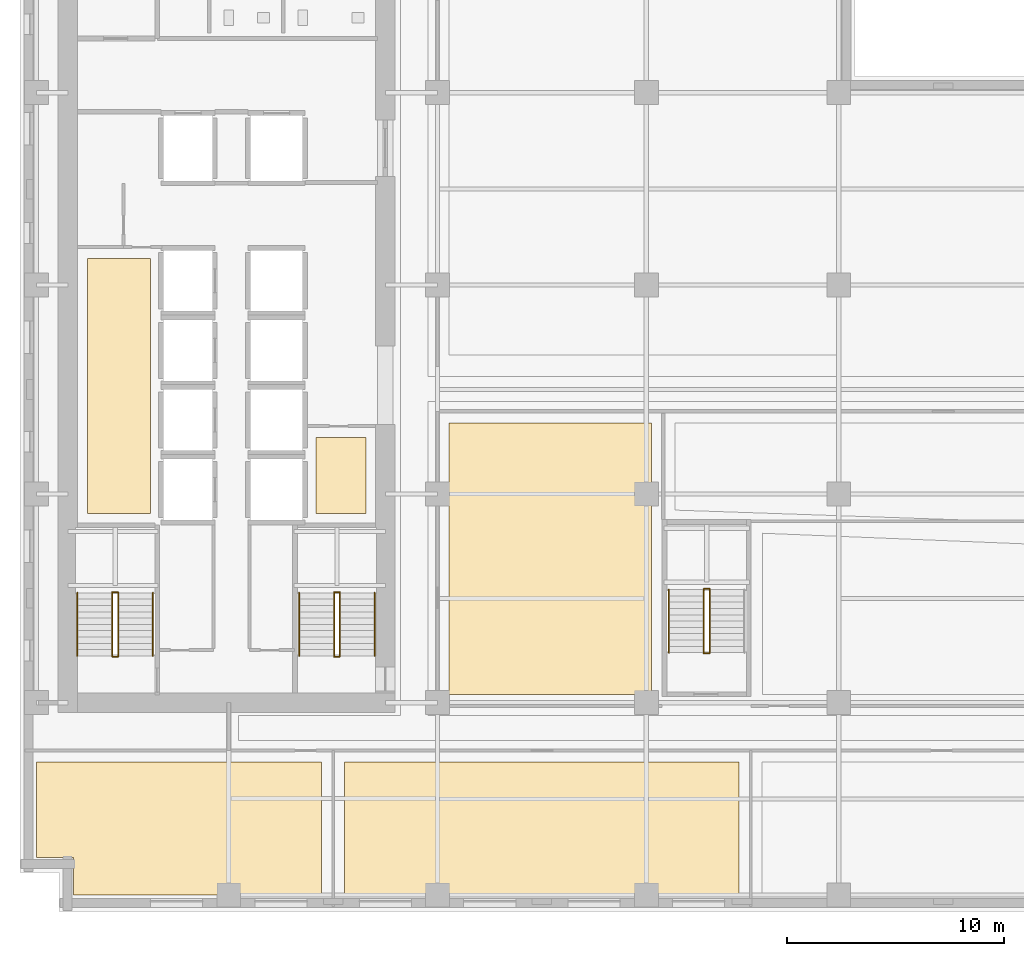
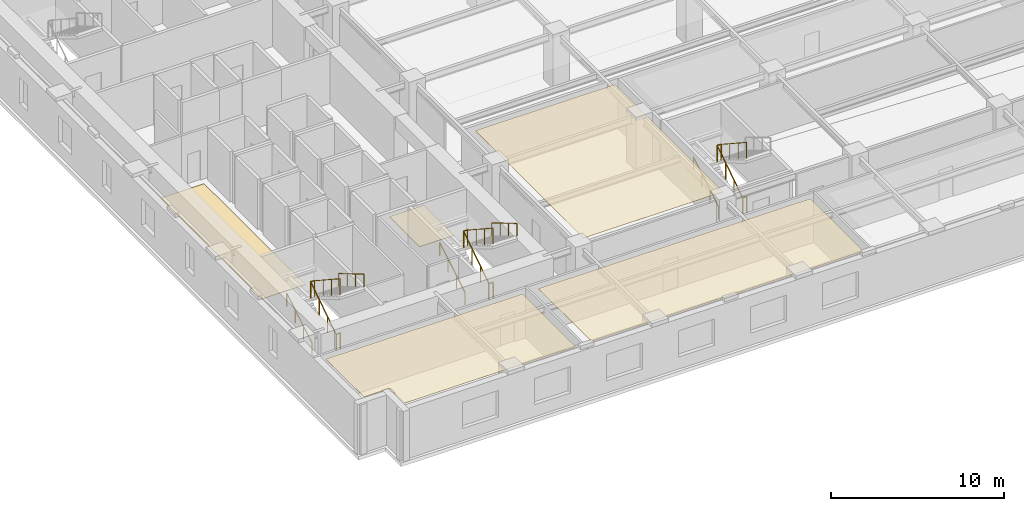
# One storey, part 9 of 13: 17 railings, 5 coverings.
"""IFC4 building model written with IfcOpenShell, lengths in metres."""

import ifcopenshell
import ifcopenshell.guid

model = None  # the IFC model being written
_history = None  # IfcOwnerHistory: only IFC2X3 demands one
_inside = {}  # id of a spatial element -> (the spatial element, [elements in it])
_under = {}  # id of a project, library or spatial element -> (it, [spatial elements below it])
_declared = {}  # id of a project -> (the project, [libraries it declares])
_typed = {}  # id of a type object -> (the type object, [elements of that type])
_made_of = {}  # id of a material, layer set ... -> (it, [elements and type objects made of it])


def new_model(schema):
    """Start an empty IFC model of exactly this schema.

    Asked for "IFC4X3", IfcOpenShell would pick the latest addendum, in which some entities
    have other attributes; the version numbers below select the first issue.
    IFC2X3 requires an IfcOwnerHistory on every rooted entity: one is made here for all.
    """
    global model, _history
    if schema == "IFC4X3":
        model = ifcopenshell.file(schema_version=(4, 3, 0, 0))
    else:
        model = ifcopenshell.file(schema=schema)
    _inside.clear()
    _under.clear()
    _declared.clear()
    _typed.clear()
    _made_of.clear()
    _history = None
    if model.schema == "IFC2X3":
        org = make("IfcOrganization", Name="unknown")
        user = make(
            "IfcPersonAndOrganization",
            ThePerson=make("IfcPerson", FamilyName="unknown"),
            TheOrganization=org,
        )
        app = make(
            "IfcApplication",
            ApplicationDeveloper=org,
            Version="unknown",
            ApplicationFullName="unknown",
            ApplicationIdentifier="unknown",
        )
        _history = make(
            "IfcOwnerHistory",
            OwningUser=user,
            OwningApplication=app,
            ChangeAction="ADDED",
            CreationDate=0,
        )
    return model


def make(cls, **values):
    """One entity of the class cls with the attributes given. An attribute that is None is left unset."""
    return model.create_entity(
        cls, **{name: value for name, value in values.items() if value is not None}
    )


def rooted(cls, **values):
    """An entity with a GlobalId (a new one), such as an element, a storey or a relation."""
    return make(cls, GlobalId=ifcopenshell.guid.new(), OwnerHistory=_history, **values)


def si_unit(unit_type, name, prefix=None):
    """IfcSIUnit, for example si_unit("LENGTHUNIT", "METRE", prefix="MILLI")."""
    return make("IfcSIUnit", UnitType=unit_type, Prefix=prefix, Name=name)


def assignment(units):
    """IfcUnitAssignment: the units of a project."""
    return None if units is None else make("IfcUnitAssignment", Units=units)


def point(xyz):
    """IfcCartesianPoint."""
    return None if xyz is None else make("IfcCartesianPoint", Coordinates=xyz)


def direction(xyz):
    """IfcDirection."""
    return None if xyz is None else make("IfcDirection", DirectionRatios=xyz)


def frame(location, z_axis=None, x_axis=None):
    """IfcAxis2Placement3D, a coordinate frame: its origin and axes. An axis left out is left unset."""
    return make(
        "IfcAxis2Placement3D",
        Location=point(location),
        Axis=direction(z_axis),
        RefDirection=direction(x_axis),
    )


def frame_2d(location, x_axis=None):
    """IfcAxis2Placement2D, a coordinate frame in the plane: its origin and x axis."""
    return make(
        "IfcAxis2Placement2D", Location=point(location), RefDirection=direction(x_axis)
    )


def origin():
    """The frame at (0, 0, 0) with its axes left unset."""
    return frame((0.0, 0.0, 0.0))


def origin_2d():
    """The frame at (0, 0) in the plane with its x axis left unset."""
    return frame_2d((0.0, 0.0))


def place(relative_to, where):
    """IfcLocalPlacement: puts the frame where relative to a parent placement (None: the world)."""
    return make(
        "IfcLocalPlacement", PlacementRelTo=relative_to, RelativePlacement=where
    )


def context(
    kind, dimensions, precision=None, world=None, true_north=None, identifier=None
):
    """IfcGeometricRepresentationContext, for example the 3D "Model" context."""
    return make(
        "IfcGeometricRepresentationContext",
        ContextIdentifier=identifier,
        ContextType=kind,
        CoordinateSpaceDimension=dimensions,
        Precision=precision,
        WorldCoordinateSystem=world,
        TrueNorth=true_north,
    )


def subcontext(parent, identifier, kind, view, scale=None):
    """IfcGeometricRepresentationSubContext, for example "Body" below "Model"."""
    return make(
        "IfcGeometricRepresentationSubContext",
        ContextIdentifier=identifier,
        ContextType=kind,
        ParentContext=parent,
        TargetScale=scale,
        TargetView=view,
    )


def project(units=None, contexts=None):
    """IfcProject with its units and contexts."""
    return rooted(
        "IfcProject",
        Name="project",
        RepresentationContexts=contexts,
        UnitsInContext=assignment(units),
    )


def spatial(cls, under=None, at=None, **own):
    """A site, building, storey or space (cls), placed at a placement, below another one or the project."""
    s = rooted(cls, ObjectPlacement=at, **own)
    if under is not None:
        _under.setdefault(under.id(), (under, []))[1].append(s)
    return s


def polyline(points):
    """IfcPolyline through the points."""
    return make("IfcPolyline", Points=[point(p) for p in points])


def profile(cls, at=None, kind="AREA", **sizes):
    """A parametric profile (cls). Its sizes go by their IFC names, for example OverallWidth=200.0."""
    return make(cls, ProfileType=kind, Position=at, **sizes)


def circle(**sizes):
    """IfcCircleProfileDef."""
    return profile("IfcCircleProfileDef", **sizes)


def outline(outer, holes=None, kind="AREA"):
    """IfcArbitraryClosedProfileDef: a profile drawn as a closed curve; with holes, ...WithVoids."""
    if holes is None:
        return make("IfcArbitraryClosedProfileDef", ProfileType=kind, OuterCurve=outer)
    return make(
        "IfcArbitraryProfileDefWithVoids",
        ProfileType=kind,
        OuterCurve=outer,
        InnerCurves=holes,
    )


def extrude(swept, where, along, depth):
    """IfcExtrudedAreaSolid: the profile swept, set in the frame where, extruded along a direction by depth."""
    return make(
        "IfcExtrudedAreaSolid",
        SweptArea=swept,
        Position=where,
        ExtrudedDirection=direction(along),
        Depth=depth,
    )


def shape(context_of_items, identifier, shape_type, items):
    """IfcShapeRepresentation: the items that make up one representation, for example the "Body"."""
    return make(
        "IfcShapeRepresentation",
        ContextOfItems=context_of_items,
        RepresentationIdentifier=identifier,
        RepresentationType=shape_type,
        Items=items,
    )


def material(Name=None, Category=None):
    """IfcMaterial."""
    return make("IfcMaterial", Name=Name, Category=Category)


def layer(
    of_material, thickness, ventilated=None, Name=None, Category=None, Priority=None
):
    """IfcMaterialLayer: one layer of a wall or slab, of a material (None: an air gap)."""
    return make(
        "IfcMaterialLayer",
        Material=of_material,
        LayerThickness=thickness,
        IsVentilated=ventilated,
        Name=Name,
        Category=Category,
        Priority=Priority,
    )


def layer_set(layers, Name=None):
    """IfcMaterialLayerSet."""
    return make("IfcMaterialLayerSet", MaterialLayers=layers, LayerSetName=Name)


def made_of(thing, what):
    """Note that an element or type object is made of a material, layer set ...; save() writes the relation."""
    if what is not None:
        _made_of.setdefault(what.id(), (what, []))[1].append(thing)
    return thing


def type_object(cls, material=None, **own):
    """A type object (cls), such as IfcWallType, which elements share."""
    return made_of(rooted(cls, **own), material)


def element(
    cls,
    number,
    at=None,
    inside=None,
    cuts=None,
    type_object=None,
    material=None,
    context=None,
    identifier="Body",
    shape_type=None,
    held_by="IfcProductDefinitionShape",
    body=None,
    shapes=None,
    **own,
):
    """One element of the class cls, such as IfcWall. Its Tag is "e" and its number.

    at: its placement. inside: the storey or other place that contains it. cuts: it is an
    opening in that element (IfcRelVoidsElement). A single representation is given by context,
    identifier, shape_type and body (its items); several are given by shapes. held_by: the class
    of the entity that holds the representations. save() writes the other relations.
    """
    e = rooted(cls, Tag="e%d" % number, ObjectPlacement=at, **own)
    if body is not None:
        shapes = [shape(context, identifier, shape_type, body)]
    if shapes is not None:
        e.Representation = make(held_by, Representations=shapes)
    if inside is not None:
        _inside.setdefault(inside.id(), (inside, []))[1].append(e)
    if cuts is not None:
        rooted(
            "IfcRelVoidsElement", RelatingBuildingElement=cuts, RelatedOpeningElement=e
        )
    if type_object is not None:
        _typed.setdefault(type_object.id(), (type_object, []))[1].append(e)
    return made_of(e, material)


def aggregate(whole, parts):
    """IfcRelAggregates: a whole, such as a stair, and the parts it consists of."""
    return rooted("IfcRelAggregates", RelatingObject=whole, RelatedObjects=parts)


def save(model, path):
    """Write the relations noted so far, then the file.

    IfcRelAggregates (storeys below a building ...), IfcRelContainedInSpatialStructure (elements
    in a storey), IfcRelDefinesByType, IfcRelAssociatesMaterial and IfcRelDeclares: one each for
    every whole, place, type object, material and project.
    """
    for whole, parts in _under.values():
        aggregate(whole, parts)
    for where, things in _inside.values():
        rooted(
            "IfcRelContainedInSpatialStructure",
            RelatedElements=things,
            RelatingStructure=where,
        )
    for kind, things in _typed.values():
        rooted("IfcRelDefinesByType", RelatedObjects=things, RelatingType=kind)
    for what, things in _made_of.values():
        rooted("IfcRelAssociatesMaterial", RelatedObjects=things, RelatingMaterial=what)
    for by, libraries in _declared.values():
        rooted("IfcRelDeclares", RelatingContext=by, RelatedDefinitions=libraries)
    model.write(path)


model = new_model("IFC4")

# Units and contexts
model_context = context("Model", 3, precision=1e-05, world=origin(), true_north=direction((0.0, 1.0)))
body_context = subcontext(model_context, "Body", "Model", "MODEL_VIEW")
ifc_project = project(units=[si_unit("LENGTHUNIT", "METRE"), si_unit("AREAUNIT", "SQUARE_METRE"), si_unit("VOLUMEUNIT", "CUBIC_METRE"), si_unit("PLANEANGLEUNIT", "RADIAN"), si_unit("MASSUNIT", "GRAM", prefix="KILO")], contexts=[model_context])

# Site, building, storey
site_placement = place(None, origin())
site = spatial("IfcSite", under=ifc_project, at=site_placement, CompositionType="ELEMENT")
building_placement = place(site_placement, origin())
building = spatial("IfcBuilding", under=site, at=building_placement, Name="Norrvale University Quadrangle", CompositionType="ELEMENT")
storey_placement = place(building_placement, frame((0.0, 0.0, 81.199951171875)))
storey = spatial("IfcBuildingStorey", under=building, at=storey_placement, Name="L20", CompositionType="ELEMENT", Elevation=81.199951171875)

# Coverings
ifc_material_1 = material(Name="Perforated Acoustic Mineral Ceiling")
ifc_layer_1 = layer(ifc_material_1, 0.02490234375, Name="Perforated Acoustic Mineral Ceiling")
ifc_layer_set_1 = layer_set([ifc_layer_1], Name="Perforated Acoustic Mineral Ceiling")
covering_type_1 = type_object("IfcCoveringType", Name="Covering Acoustic Ceiling 25", PredefinedType="CEILING", material=ifc_layer_set_1)
covering_1_placement = place(storey_placement, frame((0.0, 0.0, 3.51513671875)))
element("IfcCovering", 1, at=covering_1_placement, inside=storey, type_object=covering_type_1, Name="Acoustic Ceiling RM-L20-S01", PredefinedType="CEILING", context=body_context, shape_type="SweptSolid", body=[
    extrude(outline(polyline([(0.75, 6.8701171875), (13.8701171875, 6.8701171875), (13.8701171875, 0.75), (2.469970703125, 0.75), (2.469970703125, 2.469970703125), (0.75, 2.469970703125), (0.75, 6.8701171875)])), origin(), (0.0, 0.0, 1.0), 0.02490234375),
])
covering_2_placement = place(storey_placement, frame((0.0, 0.0, 3.51513671875)))
element("IfcCovering", 2, at=covering_2_placement, inside=storey, type_object=covering_type_1, Name="Acoustic Ceiling RM-L20-S02", PredefinedType="CEILING", context=body_context, shape_type="SweptSolid", body=[
    extrude(outline(polyline([(14.929931640625, 6.8701171875), (33.070068359375, 6.8701171875), (33.070068359375, 0.75), (14.929931640625, 0.75), (14.929931640625, 6.8701171875)])), origin(), (0.0, 0.0, 1.0), 0.02490234375),
])
covering_3_placement = place(storey_placement, frame((0.0, 0.0, 3.51513671875)))
element("IfcCovering", 3, at=covering_3_placement, inside=storey, type_object=covering_type_1, Name="Acoustic Ceiling RM-L20-IW1", PredefinedType="CEILING", context=body_context, shape_type="SweptSolid", body=[
    extrude(outline(polyline([(19.72998046875, 9.97998046875), (19.72998046875, 22.469970703125), (29.050048828125, 22.469970703125), (29.050048828125, 9.97998046875), (19.72998046875, 9.97998046875)])), origin(), (0.0, 0.0, 1.0), 0.02490234375),
])
ifc_material_2 = material(Name="Polished Terrazzo Flooring")
ifc_layer_2 = layer(ifc_material_2, 0.02490234375, Name="Polished Terrazzo Flooring")
ifc_layer_set_2 = layer_set([ifc_layer_2], Name="Polished Terrazzo Flooring")
covering_type_2 = type_object("IfcCoveringType", Name="Covering Terrazzo Floor 30", PredefinedType="FLOORING", material=ifc_layer_set_2)
covering_4_placement = place(storey_placement, origin())
element("IfcCovering", 4, at=covering_4_placement, inside=storey, type_object=covering_type_2, Name="Terrazzo Flooring RM-L20-JAN", PredefinedType="FLOORING", context=body_context, shape_type="SweptSolid", body=[
    extrude(outline(polyline([(13.60009765625, 18.300048828125), (13.60009765625, 21.800048828125), (15.89990234375, 21.800048828125), (15.89990234375, 18.300048828125), (13.60009765625, 18.300048828125)])), origin(), (0.0, 0.0, 1.0), 0.025146484375),
])
covering_5_placement = place(storey_placement, origin())
element("IfcCovering", 5, at=covering_5_placement, inside=storey, type_object=covering_type_2, Name="Terrazzo Flooring RM-L20-WSTOR", PredefinedType="FLOORING", context=body_context, shape_type="SweptSolid", body=[
    extrude(outline(polyline([(3.10009765625, 18.300048828125), (3.10009765625, 30.030029296875), (6.0, 30.030029296875), (6.0, 18.300048828125), (3.10009765625, 18.300048828125)])), origin(), (0.0, 0.0, 1.0), 0.025146484375),
])

# Railings
ifc_material_3 = material(Name="Steel 350W Painted Balustrade", Category="steel")
railing_type_1 = type_object("IfcRailingType", Name="Railing Stair Guard 1100", PredefinedType="GUARDRAIL", material=ifc_material_3)
for number, where, name in (
    (6, (4.239990234375, 11.719970703125, 0.0), "Stair Floor Well Guard ST-01 L20"),
    (7, (4.239990234375, 14.679931640625, 1.900146484375), "Stair Mid-Landing Slot Guard ST-01 L20"),
):
    element("IfcRailing", number, at=place(storey_placement, frame(where)), inside=storey, type_object=railing_type_1, Name=name, PredefinedType="GUARDRAIL", context=body_context, shape_type="SweptSolid", body=[
        extrude(circle(Radius=0.02392578125, at=origin_2d()), frame((0.0, 0.0, 1.1259765625), z_axis=(1.0, 0.0, 0.0), x_axis=(0.0, 1.0, 0.0)), (0.0, 0.0, 1.0), 0.27001953125),
        extrude(circle(Radius=0.02099609375, at=origin_2d()), origin(), (0.0, 0.0, 1.0), 1.101806640625),
        extrude(circle(Radius=0.02099609375, at=origin_2d()), frame((0.27001953125, 0.0, 0.0)), (0.0, 0.0, 1.0), 1.101806640625),
    ])
railing_1_placement = place(storey_placement, frame((4.239990234375, 11.75, 0.0)))
element("IfcRailing", 8, at=railing_1_placement, inside=storey, type_object=railing_type_1, Name="Stair Lower Flight Inner Guard ST-01 L20", PredefinedType="GUARDRAIL", context=body_context, shape_type="SweptSolid", body=[
    extrude(circle(Radius=0.02392578125, at=origin_2d()), frame((0.0, 0.0, 1.1259765625), z_axis=(0.0, 0.836433300813, 0.548068730445), x_axis=(-1.0, 0.0, 0.0)), (0.0, 0.0, 1.0), 3.467041015625),
    extrude(circle(Radius=0.02099609375, at=origin_2d()), origin(), (0.0, 0.0, 1.0), 1.101806640625),
    extrude(circle(Radius=0.02099609375, at=origin_2d()), frame((0.0, 0.966552734375, 0.63330078125)), (0.0, 0.0, 1.0), 1.101806640625),
    extrude(circle(Radius=0.02099609375, at=origin_2d()), frame((0.0, 1.933349609375, 1.266845703125)), (0.0, 0.0, 1.0), 1.101806640625),
    extrude(circle(Radius=0.02099609375, at=origin_2d()), frame((0.0, 2.89990234375, 1.900146484375)), (0.0, 0.0, 1.0), 1.101806640625),
])
railing_2_placement = place(storey_placement, frame((4.510009765625, 14.64990234375, 1.900146484375)))
element("IfcRailing", 9, at=railing_2_placement, inside=storey, type_object=railing_type_1, Name="Stair Upper Flight Inner Guard ST-01 L20", PredefinedType="GUARDRAIL", context=body_context, shape_type="SweptSolid", body=[
    extrude(circle(Radius=0.02392578125, at=origin_2d()), frame((0.0, 0.0, 1.1259765625), z_axis=(0.0, -0.836465582154, 0.548019461216), x_axis=(1.0, 0.0, 0.0)), (0.0, 0.0, 1.0), 3.466796875),
    extrude(circle(Radius=0.02099609375, at=origin_2d()), origin(), (0.0, 0.0, 1.0), 1.101806640625),
    extrude(circle(Radius=0.02099609375, at=origin_2d()), frame((0.0, -0.966552734375, 0.63330078125)), (0.0, 0.0, 1.0), 1.101806640625),
    extrude(circle(Radius=0.02099609375, at=origin_2d()), frame((0.0, -1.933349609375, 1.2666015625)), (0.0, 0.0, 1.0), 1.101806640625),
    extrude(circle(Radius=0.02099609375, at=origin_2d()), frame((0.0, -2.89990234375, 1.89990234375)), (0.0, 0.0, 1.0), 1.101806640625),
])
for number, where, name in (
    (10, (14.43994140625, 11.719970703125, 0.0), "Stair Floor Well Guard ST-03 L20"),
    (11, (14.43994140625, 14.679931640625, 1.900146484375), "Stair Mid-Landing Slot Guard ST-03 L20"),
):
    element("IfcRailing", number, at=place(storey_placement, frame(where)), inside=storey, type_object=railing_type_1, Name=name, PredefinedType="GUARDRAIL", context=body_context, shape_type="SweptSolid", body=[
        extrude(circle(Radius=0.02392578125, at=origin_2d()), frame((0.0, 0.0, 1.1259765625), z_axis=(1.0, 0.0, 0.0), x_axis=(0.0, 1.0, 0.0)), (0.0, 0.0, 1.0), 0.27001953125),
        extrude(circle(Radius=0.02099609375, at=origin_2d()), origin(), (0.0, 0.0, 1.0), 1.101806640625),
        extrude(circle(Radius=0.02099609375, at=origin_2d()), frame((0.27001953125, 0.0, 0.0)), (0.0, 0.0, 1.0), 1.101806640625),
    ])
railing_3_placement = place(storey_placement, frame((14.43994140625, 11.75, 0.0)))
element("IfcRailing", 12, at=railing_3_placement, inside=storey, type_object=railing_type_1, Name="Stair Lower Flight Inner Guard ST-03 L20", PredefinedType="GUARDRAIL", context=body_context, shape_type="SweptSolid", body=[
    extrude(circle(Radius=0.02392578125, at=origin_2d()), frame((0.0, 0.0, 1.1259765625), z_axis=(0.0, 0.836433300813, 0.548068730445), x_axis=(-1.0, 0.0, 0.0)), (0.0, 0.0, 1.0), 3.467041015625),
    extrude(circle(Radius=0.02099609375, at=origin_2d()), origin(), (0.0, 0.0, 1.0), 1.101806640625),
    extrude(circle(Radius=0.02099609375, at=origin_2d()), frame((0.0, 0.966552734375, 0.63330078125)), (0.0, 0.0, 1.0), 1.101806640625),
    extrude(circle(Radius=0.02099609375, at=origin_2d()), frame((0.0, 1.933349609375, 1.266845703125)), (0.0, 0.0, 1.0), 1.101806640625),
    extrude(circle(Radius=0.02099609375, at=origin_2d()), frame((0.0, 2.89990234375, 1.900146484375)), (0.0, 0.0, 1.0), 1.101806640625),
])
railing_4_placement = place(storey_placement, frame((14.7099609375, 14.64990234375, 1.900146484375)))
element("IfcRailing", 13, at=railing_4_placement, inside=storey, type_object=railing_type_1, Name="Stair Upper Flight Inner Guard ST-03 L20", PredefinedType="GUARDRAIL", context=body_context, shape_type="SweptSolid", body=[
    extrude(circle(Radius=0.02392578125, at=origin_2d()), frame((0.0, 0.0, 1.1259765625), z_axis=(0.0, -0.836465582154, 0.548019461216), x_axis=(1.0, 0.0, 0.0)), (0.0, 0.0, 1.0), 3.466796875),
    extrude(circle(Radius=0.02099609375, at=origin_2d()), origin(), (0.0, 0.0, 1.0), 1.101806640625),
    extrude(circle(Radius=0.02099609375, at=origin_2d()), frame((0.0, -0.966552734375, 0.63330078125)), (0.0, 0.0, 1.0), 1.101806640625),
    extrude(circle(Radius=0.02099609375, at=origin_2d()), frame((0.0, -1.933349609375, 1.2666015625)), (0.0, 0.0, 1.0), 1.101806640625),
    extrude(circle(Radius=0.02099609375, at=origin_2d()), frame((0.0, -2.89990234375, 1.89990234375)), (0.0, 0.0, 1.0), 1.101806640625),
])
for number, where, name in (
    (14, (31.43994140625, 11.8701171875, 0.0), "Stair Floor Well Guard ST-04 L20"),
    (15, (31.43994140625, 14.830078125, 1.900146484375), "Stair Mid-Landing Slot Guard ST-04 L20"),
):
    element("IfcRailing", number, at=place(storey_placement, frame(where)), inside=storey, type_object=railing_type_1, Name=name, PredefinedType="GUARDRAIL", context=body_context, shape_type="SweptSolid", body=[
        extrude(circle(Radius=0.02392578125, at=origin_2d()), frame((0.0, 0.0, 1.1259765625), z_axis=(1.0, 0.0, 0.0), x_axis=(0.0, 1.0, 0.0)), (0.0, 0.0, 1.0), 0.27001953125),
        extrude(circle(Radius=0.02099609375, at=origin_2d()), origin(), (0.0, 0.0, 1.0), 1.101806640625),
        extrude(circle(Radius=0.02099609375, at=origin_2d()), frame((0.27001953125, 0.0, 0.0)), (0.0, 0.0, 1.0), 1.101806640625),
    ])
railing_5_placement = place(storey_placement, frame((31.43994140625, 11.89990234375, 0.0)))
element("IfcRailing", 16, at=railing_5_placement, inside=storey, type_object=railing_type_1, Name="Stair Lower Flight Inner Guard ST-04 L20", PredefinedType="GUARDRAIL", context=body_context, shape_type="SweptSolid", body=[
    extrude(circle(Radius=0.02392578125, at=origin_2d()), frame((0.0, 0.0, 1.1259765625), z_axis=(0.0, 0.836454451266, 0.548036450392), x_axis=(-1.0, 0.0, 0.0)), (0.0, 0.0, 1.0), 3.46728515625),
    extrude(circle(Radius=0.02099609375, at=origin_2d()), origin(), (0.0, 0.0, 1.0), 1.101806640625),
    extrude(circle(Radius=0.02099609375, at=origin_2d()), frame((0.0, 0.966796875, 0.63330078125)), (0.0, 0.0, 1.0), 1.101806640625),
    extrude(circle(Radius=0.02099609375, at=origin_2d()), frame((0.0, 1.933349609375, 1.266845703125)), (0.0, 0.0, 1.0), 1.101806640625),
    extrude(circle(Radius=0.02099609375, at=origin_2d()), frame((0.0, 2.900146484375, 1.900146484375)), (0.0, 0.0, 1.0), 1.101806640625),
])
railing_6_placement = place(storey_placement, frame((31.7099609375, 14.800048828125, 1.900146484375)))
element("IfcRailing", 17, at=railing_6_placement, inside=storey, type_object=railing_type_1, Name="Stair Upper Flight Inner Guard ST-04 L20", PredefinedType="GUARDRAIL", context=body_context, shape_type="SweptSolid", body=[
    extrude(circle(Radius=0.02392578125, at=origin_2d()), frame((0.0, 0.0, 1.1259765625), z_axis=(0.0, -0.836486729621, 0.547987181573), x_axis=(1.0, 0.0, 0.0)), (0.0, 0.0, 1.0), 3.467041015625),
    extrude(circle(Radius=0.02099609375, at=origin_2d()), origin(), (0.0, 0.0, 1.0), 1.101806640625),
    extrude(circle(Radius=0.02099609375, at=origin_2d()), frame((0.0, -0.966796875, 0.63330078125)), (0.0, 0.0, 1.0), 1.101806640625),
    extrude(circle(Radius=0.02099609375, at=origin_2d()), frame((0.0, -1.933349609375, 1.2666015625)), (0.0, 0.0, 1.0), 1.101806640625),
    extrude(circle(Radius=0.02099609375, at=origin_2d()), frame((0.0, -2.900146484375, 1.89990234375)), (0.0, 0.0, 1.0), 1.101806640625),
])
ifc_material_4 = material(Name="Stainless Steel 316L Handrail", Category="steel")
railing_type_2 = type_object("IfcRailingType", Name="Railing Stair Handrail 920", PredefinedType="HANDRAIL", material=ifc_material_4)
railing_7_placement = place(storey_placement, frame((2.639892578125, 11.75, 0.1728515625)))
element("IfcRailing", 18, at=railing_7_placement, inside=storey, type_object=railing_type_2, Name="Stair Lower Flight Handrail ST-01 L20", PredefinedType="HANDRAIL", context=body_context, shape_type="SweptSolid", body=[
    extrude(circle(Radius=0.02392578125, at=origin_2d()), frame((0.0, 0.0, 0.89599609375), z_axis=(0.0, 0.859141464434, 0.511738159696), x_axis=(-1.0, 0.0, 0.0)), (0.0, 0.0, 1.0), 3.375244140625),
    extrude(circle(Radius=0.02099609375, at=origin_2d()), origin(), (0.0, 0.0, 1.0), 0.871826171875),
    extrude(circle(Radius=0.02099609375, at=origin_2d()), frame((0.0, 0.966552734375, 0.57568359375)), (0.0, 0.0, 1.0), 0.871826171875),
    extrude(circle(Radius=0.02099609375, at=origin_2d()), frame((0.0, 1.933349609375, 1.151611328125)), (0.0, 0.0, 1.0), 0.871826171875),
    extrude(circle(Radius=0.02099609375, at=origin_2d()), frame((0.0, 2.89990234375, 1.727294921875)), (0.0, 0.0, 1.0), 0.871826171875),
])
railing_8_placement = place(storey_placement, frame((6.110107421875, 14.64990234375, 2.07275390625)))
element("IfcRailing", 19, at=railing_8_placement, inside=storey, type_object=railing_type_2, Name="Stair Upper Flight Handrail ST-01 L20", PredefinedType="HANDRAIL", context=body_context, shape_type="SweptSolid", body=[
    extrude(circle(Radius=0.02392578125, at=origin_2d()), frame((0.0, 0.0, 0.89599609375), z_axis=(0.0, -0.859141464434, 0.511738159696), x_axis=(1.0, 0.0, 0.0)), (0.0, 0.0, 1.0), 3.375244140625),
    extrude(circle(Radius=0.02099609375, at=origin_2d()), origin(), (0.0, 0.0, 1.0), 0.871826171875),
    extrude(circle(Radius=0.02099609375, at=origin_2d()), frame((0.0, -0.966552734375, 0.57568359375)), (0.0, 0.0, 1.0), 0.871826171875),
    extrude(circle(Radius=0.02099609375, at=origin_2d()), frame((0.0, -1.933349609375, 1.151611328125)), (0.0, 0.0, 1.0), 0.871826171875),
    extrude(circle(Radius=0.02099609375, at=origin_2d()), frame((0.0, -2.89990234375, 1.727294921875)), (0.0, 0.0, 1.0), 0.871826171875),
])
railing_9_placement = place(storey_placement, frame((12.840087890625, 11.75, 0.1728515625)))
element("IfcRailing", 20, at=railing_9_placement, inside=storey, type_object=railing_type_2, Name="Stair Lower Flight Handrail ST-03 L20", PredefinedType="HANDRAIL", context=body_context, shape_type="SweptSolid", body=[
    extrude(circle(Radius=0.02392578125, at=origin_2d()), frame((0.0, 0.0, 0.89599609375), z_axis=(0.0, 0.859141464434, 0.511738159696), x_axis=(-1.0, 0.0, 0.0)), (0.0, 0.0, 1.0), 3.375244140625),
    extrude(circle(Radius=0.02099609375, at=origin_2d()), origin(), (0.0, 0.0, 1.0), 0.871826171875),
    extrude(circle(Radius=0.02099609375, at=origin_2d()), frame((0.0, 0.966552734375, 0.57568359375)), (0.0, 0.0, 1.0), 0.871826171875),
    extrude(circle(Radius=0.02099609375, at=origin_2d()), frame((0.0, 1.933349609375, 1.151611328125)), (0.0, 0.0, 1.0), 0.871826171875),
    extrude(circle(Radius=0.02099609375, at=origin_2d()), frame((0.0, 2.89990234375, 1.727294921875)), (0.0, 0.0, 1.0), 0.871826171875),
])
railing_10_placement = place(storey_placement, frame((16.31005859375, 14.64990234375, 2.07275390625)))
element("IfcRailing", 21, at=railing_10_placement, inside=storey, type_object=railing_type_2, Name="Stair Upper Flight Handrail ST-03 L20", PredefinedType="HANDRAIL", context=body_context, shape_type="SweptSolid", body=[
    extrude(circle(Radius=0.02392578125, at=origin_2d()), frame((0.0, 0.0, 0.89599609375), z_axis=(0.0, -0.859141464434, 0.511738159696), x_axis=(1.0, 0.0, 0.0)), (0.0, 0.0, 1.0), 3.375244140625),
    extrude(circle(Radius=0.02099609375, at=origin_2d()), origin(), (0.0, 0.0, 1.0), 0.871826171875),
    extrude(circle(Radius=0.02099609375, at=origin_2d()), frame((0.0, -0.966552734375, 0.57568359375)), (0.0, 0.0, 1.0), 0.871826171875),
    extrude(circle(Radius=0.02099609375, at=origin_2d()), frame((0.0, -1.933349609375, 1.151611328125)), (0.0, 0.0, 1.0), 0.871826171875),
    extrude(circle(Radius=0.02099609375, at=origin_2d()), frame((0.0, -2.89990234375, 1.727294921875)), (0.0, 0.0, 1.0), 0.871826171875),
])
railing_11_placement = place(storey_placement, frame((29.840087890625, 11.89990234375, 0.1728515625)))
element("IfcRailing", 22, at=railing_11_placement, inside=storey, type_object=railing_type_2, Name="Stair Lower Flight Handrail ST-04 L20", PredefinedType="HANDRAIL", context=body_context, shape_type="SweptSolid", body=[
    extrude(circle(Radius=0.02392578125, at=origin_2d()), frame((0.0, 0.0, 0.89599609375), z_axis=(0.0, 0.859160404282, 0.51170636083), x_axis=(-1.0, 0.0, 0.0)), (0.0, 0.0, 1.0), 3.37548828125),
    extrude(circle(Radius=0.02099609375, at=origin_2d()), origin(), (0.0, 0.0, 1.0), 0.871826171875),
    extrude(circle(Radius=0.02099609375, at=origin_2d()), frame((0.0, 0.966796875, 0.57568359375)), (0.0, 0.0, 1.0), 0.871826171875),
    extrude(circle(Radius=0.02099609375, at=origin_2d()), frame((0.0, 1.933349609375, 1.151611328125)), (0.0, 0.0, 1.0), 0.871826171875),
    extrude(circle(Radius=0.02099609375, at=origin_2d()), frame((0.0, 2.900146484375, 1.727294921875)), (0.0, 0.0, 1.0), 0.871826171875),
])

save(model, "model.ifc")
